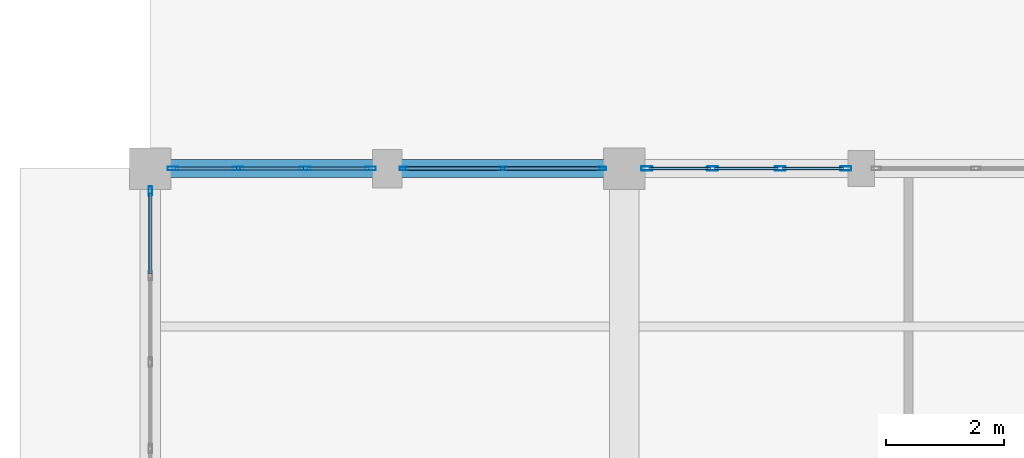
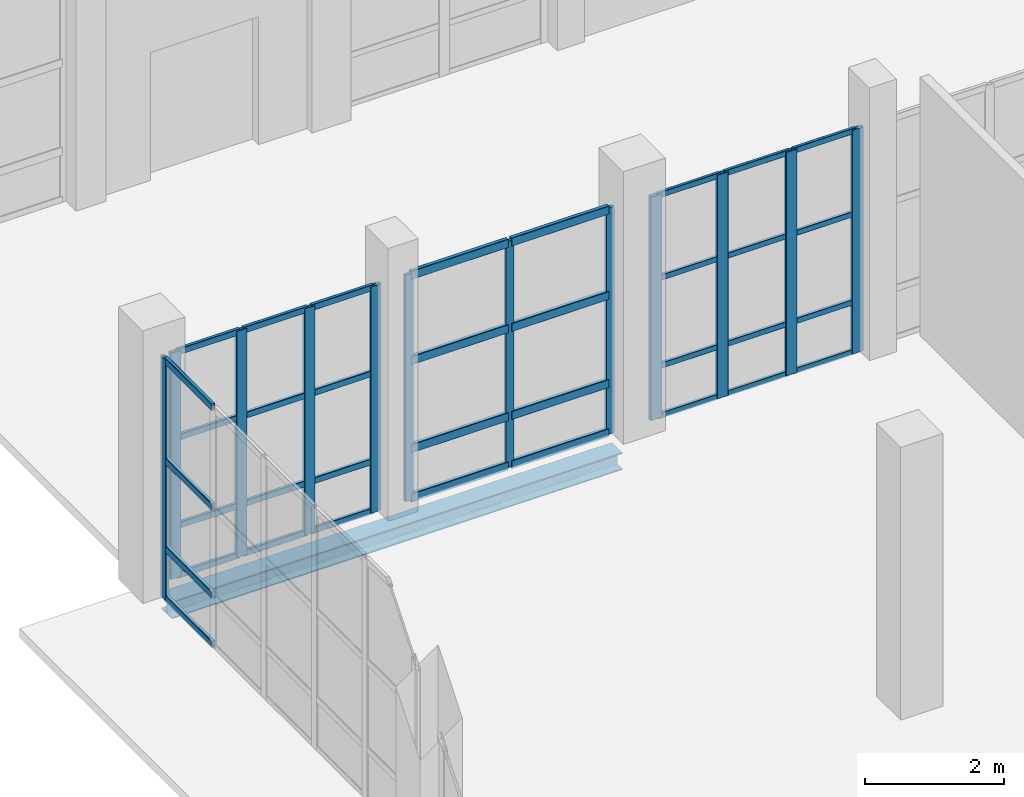
# One storey, part 12 of 156: 48 members, 1 beam, 4 elements without a shape of their own.
"""IFC4 building model written with IfcOpenShell, lengths in metres."""

import ifcopenshell
import ifcopenshell.guid

model = None  # the IFC model being written
_history = None  # IfcOwnerHistory: only IFC2X3 demands one
_inside = {}  # id of a spatial element -> (the spatial element, [elements in it])
_under = {}  # id of a project, library or spatial element -> (it, [spatial elements below it])
_declared = {}  # id of a project -> (the project, [libraries it declares])
_typed = {}  # id of a type object -> (the type object, [elements of that type])
_made_of = {}  # id of a material, layer set ... -> (it, [elements and type objects made of it])


def new_model(schema):
    """Start an empty IFC model of exactly this schema.

    Asked for "IFC4X3", IfcOpenShell would pick the latest addendum, in which some entities
    have other attributes; the version numbers below select the first issue.
    IFC2X3 requires an IfcOwnerHistory on every rooted entity: one is made here for all.
    """
    global model, _history
    if schema == "IFC4X3":
        model = ifcopenshell.file(schema_version=(4, 3, 0, 0))
    else:
        model = ifcopenshell.file(schema=schema)
    _inside.clear()
    _under.clear()
    _declared.clear()
    _typed.clear()
    _made_of.clear()
    _history = None
    if model.schema == "IFC2X3":
        org = make("IfcOrganization", Name="unknown")
        user = make(
            "IfcPersonAndOrganization",
            ThePerson=make("IfcPerson", FamilyName="unknown"),
            TheOrganization=org,
        )
        app = make(
            "IfcApplication",
            ApplicationDeveloper=org,
            Version="unknown",
            ApplicationFullName="unknown",
            ApplicationIdentifier="unknown",
        )
        _history = make(
            "IfcOwnerHistory",
            OwningUser=user,
            OwningApplication=app,
            ChangeAction="ADDED",
            CreationDate=0,
        )
    return model


def make(cls, **values):
    """One entity of the class cls with the attributes given. An attribute that is None is left unset."""
    return model.create_entity(
        cls, **{name: value for name, value in values.items() if value is not None}
    )


def rooted(cls, **values):
    """An entity with a GlobalId (a new one), such as an element, a storey or a relation."""
    return make(cls, GlobalId=ifcopenshell.guid.new(), OwnerHistory=_history, **values)


def si_unit(unit_type, name, prefix=None):
    """IfcSIUnit, for example si_unit("LENGTHUNIT", "METRE", prefix="MILLI")."""
    return make("IfcSIUnit", UnitType=unit_type, Prefix=prefix, Name=name)


def assignment(units):
    """IfcUnitAssignment: the units of a project."""
    return None if units is None else make("IfcUnitAssignment", Units=units)


def point(xyz):
    """IfcCartesianPoint."""
    return None if xyz is None else make("IfcCartesianPoint", Coordinates=xyz)


def direction(xyz):
    """IfcDirection."""
    return None if xyz is None else make("IfcDirection", DirectionRatios=xyz)


def frame(location, z_axis=None, x_axis=None):
    """IfcAxis2Placement3D, a coordinate frame: its origin and axes. An axis left out is left unset."""
    return make(
        "IfcAxis2Placement3D",
        Location=point(location),
        Axis=direction(z_axis),
        RefDirection=direction(x_axis),
    )


def frame_2d(location, x_axis=None):
    """IfcAxis2Placement2D, a coordinate frame in the plane: its origin and x axis."""
    return make(
        "IfcAxis2Placement2D", Location=point(location), RefDirection=direction(x_axis)
    )


def origin():
    """The frame at (0, 0, 0) with its axes left unset."""
    return frame((0.0, 0.0, 0.0))


def origin_2d():
    """The frame at (0, 0) in the plane with its x axis left unset."""
    return frame_2d((0.0, 0.0))


def place(relative_to, where):
    """IfcLocalPlacement: puts the frame where relative to a parent placement (None: the world)."""
    return make(
        "IfcLocalPlacement", PlacementRelTo=relative_to, RelativePlacement=where
    )


def context(
    kind, dimensions, precision=None, world=None, true_north=None, identifier=None
):
    """IfcGeometricRepresentationContext, for example the 3D "Model" context."""
    return make(
        "IfcGeometricRepresentationContext",
        ContextIdentifier=identifier,
        ContextType=kind,
        CoordinateSpaceDimension=dimensions,
        Precision=precision,
        WorldCoordinateSystem=world,
        TrueNorth=true_north,
    )


def subcontext(parent, identifier, kind, view, scale=None):
    """IfcGeometricRepresentationSubContext, for example "Body" below "Model"."""
    return make(
        "IfcGeometricRepresentationSubContext",
        ContextIdentifier=identifier,
        ContextType=kind,
        ParentContext=parent,
        TargetScale=scale,
        TargetView=view,
    )


def project(units=None, contexts=None):
    """IfcProject with its units and contexts."""
    return rooted(
        "IfcProject",
        Name="project",
        RepresentationContexts=contexts,
        UnitsInContext=assignment(units),
    )


def spatial(cls, under=None, at=None, **own):
    """A site, building, storey or space (cls), placed at a placement, below another one or the project."""
    s = rooted(cls, ObjectPlacement=at, **own)
    if under is not None:
        _under.setdefault(under.id(), (under, []))[1].append(s)
    return s


def profile(cls, at=None, kind="AREA", **sizes):
    """A parametric profile (cls). Its sizes go by their IFC names, for example OverallWidth=200.0."""
    return make(cls, ProfileType=kind, Position=at, **sizes)


def hollow_rectangle(**sizes):
    """IfcRectangleHollowProfileDef."""
    return profile("IfcRectangleHollowProfileDef", **sizes)


def i_section(**sizes):
    """IfcIShapeProfileDef."""
    return profile("IfcIShapeProfileDef", **sizes)


def extrude(swept, where, along, depth):
    """IfcExtrudedAreaSolid: the profile swept, set in the frame where, extruded along a direction by depth."""
    return make(
        "IfcExtrudedAreaSolid",
        SweptArea=swept,
        Position=where,
        ExtrudedDirection=direction(along),
        Depth=depth,
    )


def shape(context_of_items, identifier, shape_type, items):
    """IfcShapeRepresentation: the items that make up one representation, for example the "Body"."""
    return make(
        "IfcShapeRepresentation",
        ContextOfItems=context_of_items,
        RepresentationIdentifier=identifier,
        RepresentationType=shape_type,
        Items=items,
    )


def material(Name=None, Category=None):
    """IfcMaterial."""
    return make("IfcMaterial", Name=Name, Category=Category)


def material_profile(
    of_material, cross_section, Name=None, Category=None, Priority=None
):
    """IfcMaterialProfile: a cross section and its material."""
    return make(
        "IfcMaterialProfile",
        Name=Name,
        Material=of_material,
        Profile=cross_section,
        Priority=Priority,
        Category=Category,
    )


def profile_set(profiles, Name=None, composite=None):
    """IfcMaterialProfileSet."""
    return make(
        "IfcMaterialProfileSet",
        Name=Name,
        MaterialProfiles=profiles,
        CompositeProfile=composite,
    )


def made_of(thing, what):
    """Note that an element or type object is made of a material, layer set ...; save() writes the relation."""
    if what is not None:
        _made_of.setdefault(what.id(), (what, []))[1].append(thing)
    return thing


def type_object(cls, material=None, **own):
    """A type object (cls), such as IfcWallType, which elements share."""
    return made_of(rooted(cls, **own), material)


def element(
    cls,
    number,
    at=None,
    inside=None,
    cuts=None,
    type_object=None,
    material=None,
    context=None,
    identifier="Body",
    shape_type=None,
    held_by="IfcProductDefinitionShape",
    body=None,
    shapes=None,
    **own,
):
    """One element of the class cls, such as IfcWall. Its Tag is "e" and its number.

    at: its placement. inside: the storey or other place that contains it. cuts: it is an
    opening in that element (IfcRelVoidsElement). A single representation is given by context,
    identifier, shape_type and body (its items); several are given by shapes. held_by: the class
    of the entity that holds the representations. save() writes the other relations.
    """
    e = rooted(cls, Tag="e%d" % number, ObjectPlacement=at, **own)
    if body is not None:
        shapes = [shape(context, identifier, shape_type, body)]
    if shapes is not None:
        e.Representation = make(held_by, Representations=shapes)
    if inside is not None:
        _inside.setdefault(inside.id(), (inside, []))[1].append(e)
    if cuts is not None:
        rooted(
            "IfcRelVoidsElement", RelatingBuildingElement=cuts, RelatedOpeningElement=e
        )
    if type_object is not None:
        _typed.setdefault(type_object.id(), (type_object, []))[1].append(e)
    return made_of(e, material)


def aggregate(whole, parts):
    """IfcRelAggregates: a whole, such as a stair, and the parts it consists of."""
    return rooted("IfcRelAggregates", RelatingObject=whole, RelatedObjects=parts)


def save(model, path):
    """Write the relations noted so far, then the file.

    IfcRelAggregates (storeys below a building ...), IfcRelContainedInSpatialStructure (elements
    in a storey), IfcRelDefinesByType, IfcRelAssociatesMaterial and IfcRelDeclares: one each for
    every whole, place, type object, material and project.
    """
    for whole, parts in _under.values():
        aggregate(whole, parts)
    for where, things in _inside.values():
        rooted(
            "IfcRelContainedInSpatialStructure",
            RelatedElements=things,
            RelatingStructure=where,
        )
    for kind, things in _typed.values():
        rooted("IfcRelDefinesByType", RelatedObjects=things, RelatingType=kind)
    for what, things in _made_of.values():
        rooted("IfcRelAssociatesMaterial", RelatedObjects=things, RelatingMaterial=what)
    for by, libraries in _declared.values():
        rooted("IfcRelDeclares", RelatingContext=by, RelatedDefinitions=libraries)
    model.write(path)


model = new_model("IFC4")

# Units and contexts
model_context = context("Model", 3, precision=1e-05, world=origin(), true_north=direction((0.0, 1.0)))
body_context = subcontext(model_context, "Body", "Model", "MODEL_VIEW")
ifc_project = project(units=[si_unit("LENGTHUNIT", "METRE"), si_unit("AREAUNIT", "SQUARE_METRE"), si_unit("VOLUMEUNIT", "CUBIC_METRE"), si_unit("PLANEANGLEUNIT", "RADIAN"), si_unit("MASSUNIT", "GRAM", prefix="KILO")], contexts=[model_context])

# Site, building, storey
site_placement = place(None, origin())
site = spatial("IfcSite", under=ifc_project, at=site_placement, CompositionType="ELEMENT")
building_placement = place(site_placement, origin())
building = spatial("IfcBuilding", under=site, at=building_placement, Name="Luwemba Playhouse", CompositionType="ELEMENT")
storey_placement = place(building_placement, origin())
storey = spatial("IfcBuildingStorey", under=building, at=storey_placement, Name="L00", CompositionType="ELEMENT", Elevation=0.0)

# Beam
ifc_material_1 = material(Name="Steel S355", Category="steel")
ifc_material_profile_1 = material_profile(ifc_material_1, i_section(OverallWidth=0.300048828125, OverallDepth=0.300048828125, WebThickness=0.010986328125, FlangeThickness=0.01904296875, FilletRadius=0.027099609375, at=origin_2d()))
ifc_profile_set_1 = profile_set([ifc_material_profile_1], Name="Steel S355")
beam_type = type_object("IfcBeamType", Name="BM-SSP1", PredefinedType="SPANDREL", material=ifc_profile_set_1)
beam_placement = place(storey_placement, frame((4.25, 27.0, -0.449951171875), z_axis=(1.0, 0.0, 0.0), x_axis=(0.0, 1.0, 0.0)))
element("IfcBeam", 1, at=beam_placement, inside=storey, type_object=beam_type, Name="L00 grid girder 0171", PredefinedType="SPANDREL", context=body_context, shape_type="SweptSolid", body=[
    extrude(i_section(OverallWidth=0.300048828125, OverallDepth=0.300048828125, WebThickness=0.010986328125, FlangeThickness=0.01904296875, FilletRadius=0.027099609375, at=origin_2d()), origin(), (0.0, 0.0, 1.0), 7.5),
])

# Curtain wall, member
ifc_material_2 = material(Name="Solar-control double glazing", Category="glass")
curtain_wall_type_1 = type_object("IfcCurtainWallType", Name="CW-CW25", PredefinedType="USERDEFINED", material=ifc_material_2)
curtain_wall_1_placement = place(storey_placement, origin())
curtain_wall_1 = element("IfcCurtainWall", 2, at=curtain_wall_1_placement, inside=storey, type_object=curtain_wall_type_1, Name="L00 V5W unitised curtain wall 027", ObjectType="UNITISED GLAZING", PredefinedType="USERDEFINED")
ifc_material_3 = material(Name="Aluminium 6063-T6", Category="aluminium")
ifc_material_profile_2 = material_profile(ifc_material_3, hollow_rectangle(XDim=0.06005859375, YDim=0.159912109375, WallThickness=0.00390625, InnerFilletRadius=0.006103515625, OuterFilletRadius=0.010009765625, at=origin_2d()))
ifc_profile_set_2 = profile_set([ifc_material_profile_2], Name="Aluminium 6063-T6")
member_type_1 = type_object("IfcMemberType", Name="CWM-M1", PredefinedType="MULLION", material=ifc_profile_set_2)
member_1_placement = place(storey_placement, frame((4.0, 26.6201171875, 0.0), z_axis=(0.0, 0.0, 1.0), x_axis=(-1.0, 0.0, 0.0)))
member_1 = element("IfcMember", 3, at=member_1_placement, type_object=member_type_1, Name="CW25 mullion 6", PredefinedType="MULLION", context=body_context, shape_type="SweptSolid", body=[
    extrude(hollow_rectangle(XDim=0.06005859375, YDim=0.159912109375, WallThickness=0.00390625, InnerFilletRadius=0.006103515625, OuterFilletRadius=0.010009765625, at=origin_2d()), origin(), (0.0, 0.0, 1.0), 4.235107421875),
])

# Curtain wall, members
curtain_wall_type_2 = type_object("IfcCurtainWallType", Name="CW-CW26", PredefinedType="USERDEFINED", material=ifc_material_2)
curtain_wall_2_placement = place(storey_placement, origin())
curtain_wall_2 = element("IfcCurtainWall", 4, at=curtain_wall_2_placement, inside=storey, type_object=curtain_wall_type_2, Name="L00 V5W unitised curtain wall 028", ObjectType="UNITISED GLAZING", PredefinedType="USERDEFINED")
ifc_material_profile_3 = material_profile(ifc_material_3, hollow_rectangle(XDim=0.06494140625, YDim=0.179931640625, WallThickness=0.00439453125, InnerFilletRadius=0.0068359375, OuterFilletRadius=0.01123046875, at=origin_2d()))
ifc_profile_set_3 = profile_set([ifc_material_profile_3], Name="Aluminium 6063-T6")
member_type_2 = type_object("IfcMemberType", Name="CWM-M2", PredefinedType="MULLION", material=ifc_profile_set_3)
member_2_placement = place(storey_placement, frame((4.382568359375, 27.0, 0.0), z_axis=(0.0, 0.0, 1.0), x_axis=(0.0, 1.0, 0.0)))
member_2 = element("IfcMember", 5, at=member_2_placement, type_object=member_type_2, Name="CW26 mullion 1", PredefinedType="MULLION", context=body_context, shape_type="SweptSolid", body=[
    extrude(hollow_rectangle(XDim=0.06494140625, YDim=0.179931640625, WallThickness=0.00439453125, InnerFilletRadius=0.0068359375, OuterFilletRadius=0.01123046875, at=origin_2d()), origin(), (0.0, 0.0, 1.0), 3.985107421875),
])
member_3_placement = place(storey_placement, frame((5.4833984375, 27.0, 0.0), z_axis=(0.0, 0.0, 1.0), x_axis=(0.0, 1.0, 0.0)))
member_3 = element("IfcMember", 6, at=member_3_placement, type_object=member_type_2, Name="CW26 mullion 2", PredefinedType="MULLION", context=body_context, shape_type="SweptSolid", body=[
    extrude(hollow_rectangle(XDim=0.06494140625, YDim=0.179931640625, WallThickness=0.00439453125, InnerFilletRadius=0.0068359375, OuterFilletRadius=0.01123046875, at=origin_2d()), origin(), (0.0, 0.0, 1.0), 3.985107421875),
])
member_4_placement = place(storey_placement, frame((6.61669921875, 27.0, 0.0), z_axis=(0.0, 0.0, 1.0), x_axis=(0.0, 1.0, 0.0)))
member_4 = element("IfcMember", 7, at=member_4_placement, type_object=member_type_2, Name="CW26 mullion 3", PredefinedType="MULLION", context=body_context, shape_type="SweptSolid", body=[
    extrude(hollow_rectangle(XDim=0.06494140625, YDim=0.179931640625, WallThickness=0.00439453125, InnerFilletRadius=0.0068359375, OuterFilletRadius=0.01123046875, at=origin_2d()), origin(), (0.0, 0.0, 1.0), 3.985107421875),
])
member_5_placement = place(storey_placement, frame((7.717529296875, 27.0, 0.0), z_axis=(0.0, 0.0, 1.0), x_axis=(0.0, 1.0, 0.0)))
member_5 = element("IfcMember", 8, at=member_5_placement, type_object=member_type_2, Name="CW26 mullion 4", PredefinedType="MULLION", context=body_context, shape_type="SweptSolid", body=[
    extrude(hollow_rectangle(XDim=0.06494140625, YDim=0.179931640625, WallThickness=0.00439453125, InnerFilletRadius=0.0068359375, OuterFilletRadius=0.01123046875, at=origin_2d()), origin(), (0.0, 0.0, 1.0), 3.985107421875),
])

curtain_wall_type_3 = type_object("IfcCurtainWallType", Name="CW-CW27", PredefinedType="USERDEFINED", material=ifc_material_2)
curtain_wall_3_placement = place(storey_placement, origin())
curtain_wall_3 = element("IfcCurtainWall", 9, at=curtain_wall_3_placement, inside=storey, type_object=curtain_wall_type_3, Name="L00 V5W unitised curtain wall 029", ObjectType="UNITISED GLAZING", PredefinedType="USERDEFINED")
ifc_material_profile_4 = material_profile(ifc_material_3, hollow_rectangle(XDim=0.054931640625, YDim=0.139892578125, WallThickness=0.00390625, InnerFilletRadius=0.006103515625, OuterFilletRadius=0.010009765625, at=origin_2d()))
ifc_profile_set_4 = profile_set([ifc_material_profile_4], Name="Aluminium 6063-T6")
member_type_3 = type_object("IfcMemberType", Name="CWM-M3", PredefinedType="MULLION", material=ifc_profile_set_4)
member_6_placement = place(storey_placement, frame((8.277587890625, 27.0, 0.0), z_axis=(0.0, 0.0, 1.0), x_axis=(0.0, 1.0, 0.0)))
member_6 = element("IfcMember", 10, at=member_6_placement, type_object=member_type_3, Name="CW27 mullion 1", PredefinedType="MULLION", context=body_context, shape_type="SweptSolid", body=[
    extrude(hollow_rectangle(XDim=0.054931640625, YDim=0.139892578125, WallThickness=0.00390625, InnerFilletRadius=0.006103515625, OuterFilletRadius=0.010009765625, at=origin_2d()), origin(), (0.0, 0.0, 1.0), 3.985107421875),
])
member_7_placement = place(storey_placement, frame((9.949951171875, 27.0, 0.0), z_axis=(0.0, 0.0, 1.0), x_axis=(0.0, 1.0, 0.0)))
member_7 = element("IfcMember", 11, at=member_7_placement, type_object=member_type_3, Name="CW27 mullion 2", PredefinedType="MULLION", context=body_context, shape_type="SweptSolid", body=[
    extrude(hollow_rectangle(XDim=0.054931640625, YDim=0.139892578125, WallThickness=0.00390625, InnerFilletRadius=0.006103515625, OuterFilletRadius=0.010009765625, at=origin_2d()), origin(), (0.0, 0.0, 1.0), 3.985107421875),
])
member_8_placement = place(storey_placement, frame((11.62255859375, 27.0, 0.0), z_axis=(0.0, 0.0, 1.0), x_axis=(0.0, 1.0, 0.0)))
member_8 = element("IfcMember", 12, at=member_8_placement, type_object=member_type_3, Name="CW27 mullion 3", PredefinedType="MULLION", context=body_context, shape_type="SweptSolid", body=[
    extrude(hollow_rectangle(XDim=0.054931640625, YDim=0.139892578125, WallThickness=0.00390625, InnerFilletRadius=0.006103515625, OuterFilletRadius=0.010009765625, at=origin_2d()), origin(), (0.0, 0.0, 1.0), 3.985107421875),
])

curtain_wall_type_4 = type_object("IfcCurtainWallType", Name="CW-CW10", PredefinedType="USERDEFINED", material=ifc_material_2)
curtain_wall_4_placement = place(storey_placement, origin())
curtain_wall_4 = element("IfcCurtainWall", 13, at=curtain_wall_4_placement, inside=storey, type_object=curtain_wall_type_4, Name="L00 V5W unitised curtain wall 030", ObjectType="UNITISED GLAZING", PredefinedType="USERDEFINED")
ifc_material_profile_5 = material_profile(ifc_material_3, hollow_rectangle(XDim=0.070068359375, YDim=0.18994140625, WallThickness=0.0048828125, InnerFilletRadius=0.007568359375, OuterFilletRadius=0.012451171875, at=origin_2d()))
ifc_profile_set_5 = profile_set([ifc_material_profile_5], Name="Aluminium 6063-T6")
member_type_4 = type_object("IfcMemberType", Name="CWM-M4", PredefinedType="MULLION", material=ifc_profile_set_5)
member_9_placement = place(storey_placement, frame((12.385009765625, 27.0, 0.0), z_axis=(0.0, 0.0, 1.0), x_axis=(0.0, 1.0, 0.0)))
member_9 = element("IfcMember", 14, at=member_9_placement, type_object=member_type_4, Name="CW10 mullion 1", PredefinedType="MULLION", context=body_context, shape_type="SweptSolid", body=[
    extrude(hollow_rectangle(XDim=0.070068359375, YDim=0.18994140625, WallThickness=0.0048828125, InnerFilletRadius=0.007568359375, OuterFilletRadius=0.012451171875, at=origin_2d()), origin(), (0.0, 0.0, 1.0), 3.93505859375),
])
member_10_placement = place(storey_placement, frame((13.49169921875, 27.0, 0.0), z_axis=(0.0, 0.0, 1.0), x_axis=(0.0, 1.0, 0.0)))
member_10 = element("IfcMember", 15, at=member_10_placement, type_object=member_type_4, Name="CW10 mullion 2", PredefinedType="MULLION", context=body_context, shape_type="SweptSolid", body=[
    extrude(hollow_rectangle(XDim=0.070068359375, YDim=0.18994140625, WallThickness=0.0048828125, InnerFilletRadius=0.007568359375, OuterFilletRadius=0.012451171875, at=origin_2d()), origin(), (0.0, 0.0, 1.0), 3.93505859375),
])
member_11_placement = place(storey_placement, frame((14.63330078125, 27.0, 0.0), z_axis=(0.0, 0.0, 1.0), x_axis=(0.0, 1.0, 0.0)))
member_11 = element("IfcMember", 16, at=member_11_placement, type_object=member_type_4, Name="CW10 mullion 3", PredefinedType="MULLION", context=body_context, shape_type="SweptSolid", body=[
    extrude(hollow_rectangle(XDim=0.070068359375, YDim=0.18994140625, WallThickness=0.0048828125, InnerFilletRadius=0.007568359375, OuterFilletRadius=0.012451171875, at=origin_2d()), origin(), (0.0, 0.0, 1.0), 3.93505859375),
])
member_12_placement = place(storey_placement, frame((15.739990234375, 27.0, 0.0), z_axis=(0.0, 0.0, 1.0), x_axis=(0.0, 1.0, 0.0)))
member_12 = element("IfcMember", 17, at=member_12_placement, type_object=member_type_4, Name="CW10 mullion 4", PredefinedType="MULLION", context=body_context, shape_type="SweptSolid", body=[
    extrude(hollow_rectangle(XDim=0.070068359375, YDim=0.18994140625, WallThickness=0.0048828125, InnerFilletRadius=0.007568359375, OuterFilletRadius=0.012451171875, at=origin_2d()), origin(), (0.0, 0.0, 1.0), 3.93505859375),
])

# Member
ifc_material_profile_6 = material_profile(ifc_material_3, hollow_rectangle(XDim=0.06005859375, YDim=0.1201171875, WallThickness=0.00390625, InnerFilletRadius=0.006103515625, OuterFilletRadius=0.010009765625, at=origin_2d()))
ifc_profile_set_6 = profile_set([ifc_material_profile_6], Name="Aluminium 6063-T6")
member_type_5 = type_object("IfcMemberType", Name="CWT-T1", PredefinedType="USERDEFINED", material=ifc_profile_set_6)
member_13_placement = place(storey_placement, frame((4.0, 25.219970703125, 0.030029296875), z_axis=(0.0, 1.0, 0.0), x_axis=(-1.0, 0.0, 0.0)))
member_13 = element("IfcMember", 18, at=member_13_placement, type_object=member_type_5, Name="CW25 transom 5.1", ObjectType="TRANSOM", PredefinedType="USERDEFINED", context=body_context, shape_type="SweptSolid", body=[
    extrude(hollow_rectangle(XDim=0.06005859375, YDim=0.1201171875, WallThickness=0.00390625, InnerFilletRadius=0.006103515625, OuterFilletRadius=0.010009765625, at=origin_2d()), origin(), (0.0, 0.0, 1.0), 1.3701171875),
])

member_14_placement = place(storey_placement, frame((4.0, 25.219970703125, 0.89990234375), z_axis=(0.0, 1.0, 0.0), x_axis=(-1.0, 0.0, 0.0)))
member_14 = element("IfcMember", 19, at=member_14_placement, type_object=member_type_5, Name="CW25 transom 5.2", ObjectType="TRANSOM", PredefinedType="USERDEFINED", context=body_context, shape_type="SweptSolid", body=[
    extrude(hollow_rectangle(XDim=0.06005859375, YDim=0.1201171875, WallThickness=0.00390625, InnerFilletRadius=0.006103515625, OuterFilletRadius=0.010009765625, at=origin_2d()), origin(), (0.0, 0.0, 1.0), 1.3701171875),
])

member_15_placement = place(storey_placement, frame((4.0, 25.219970703125, 2.449951171875), z_axis=(0.0, 1.0, 0.0), x_axis=(-1.0, 0.0, 0.0)))
member_15 = element("IfcMember", 20, at=member_15_placement, type_object=member_type_5, Name="CW25 transom 5.3", ObjectType="TRANSOM", PredefinedType="USERDEFINED", context=body_context, shape_type="SweptSolid", body=[
    extrude(hollow_rectangle(XDim=0.06005859375, YDim=0.1201171875, WallThickness=0.00390625, InnerFilletRadius=0.006103515625, OuterFilletRadius=0.010009765625, at=origin_2d()), origin(), (0.0, 0.0, 1.0), 1.3701171875),
])

member_16_placement = place(storey_placement, frame((4.0, 25.219970703125, 4.205078125), z_axis=(0.0, 1.0, 0.0), x_axis=(-1.0, 0.0, 0.0)))
member_16 = element("IfcMember", 21, at=member_16_placement, type_object=member_type_5, Name="CW25 transom 5.4", ObjectType="TRANSOM", PredefinedType="USERDEFINED", context=body_context, shape_type="SweptSolid", body=[
    extrude(hollow_rectangle(XDim=0.06005859375, YDim=0.1201171875, WallThickness=0.00390625, InnerFilletRadius=0.006103515625, OuterFilletRadius=0.010009765625, at=origin_2d()), origin(), (0.0, 0.0, 1.0), 1.3701171875),
])

aggregate(curtain_wall_1, [member_1, member_13, member_14, member_15, member_16])

ifc_material_profile_7 = material_profile(ifc_material_3, hollow_rectangle(XDim=0.054931640625, YDim=0.110107421875, WallThickness=0.00341796875, InnerFilletRadius=0.00537109375, OuterFilletRadius=0.0087890625, at=origin_2d()))
ifc_profile_set_7 = profile_set([ifc_material_profile_7], Name="Aluminium 6063-T6")
member_type_6 = type_object("IfcMemberType", Name="CWT-T2", PredefinedType="USERDEFINED", material=ifc_profile_set_7)
member_17_placement = place(storey_placement, frame((4.4150390625, 27.0, 0.027587890625), z_axis=(1.0, 0.0, 0.0), x_axis=(0.0, 1.0, 0.0)))
member_17 = element("IfcMember", 22, at=member_17_placement, type_object=member_type_6, Name="CW26 transom 1.1", ObjectType="TRANSOM", PredefinedType="USERDEFINED", context=body_context, shape_type="SweptSolid", body=[
    extrude(hollow_rectangle(XDim=0.054931640625, YDim=0.110107421875, WallThickness=0.00341796875, InnerFilletRadius=0.00537109375, OuterFilletRadius=0.0087890625, at=origin_2d()), origin(), (0.0, 0.0, 1.0), 1.035888671875),
])

member_18_placement = place(storey_placement, frame((4.4150390625, 27.0, 0.89990234375), z_axis=(1.0, 0.0, 0.0), x_axis=(0.0, 1.0, 0.0)))
member_18 = element("IfcMember", 23, at=member_18_placement, type_object=member_type_6, Name="CW26 transom 1.2", ObjectType="TRANSOM", PredefinedType="USERDEFINED", context=body_context, shape_type="SweptSolid", body=[
    extrude(hollow_rectangle(XDim=0.054931640625, YDim=0.110107421875, WallThickness=0.00341796875, InnerFilletRadius=0.00537109375, OuterFilletRadius=0.0087890625, at=origin_2d()), origin(), (0.0, 0.0, 1.0), 1.035888671875),
])

member_19_placement = place(storey_placement, frame((4.4150390625, 27.0, 2.449951171875), z_axis=(1.0, 0.0, 0.0), x_axis=(0.0, 1.0, 0.0)))
member_19 = element("IfcMember", 24, at=member_19_placement, type_object=member_type_6, Name="CW26 transom 1.3", ObjectType="TRANSOM", PredefinedType="USERDEFINED", context=body_context, shape_type="SweptSolid", body=[
    extrude(hollow_rectangle(XDim=0.054931640625, YDim=0.110107421875, WallThickness=0.00341796875, InnerFilletRadius=0.00537109375, OuterFilletRadius=0.0087890625, at=origin_2d()), origin(), (0.0, 0.0, 1.0), 1.035888671875),
])

member_20_placement = place(storey_placement, frame((4.4150390625, 27.0, 3.95751953125), z_axis=(1.0, 0.0, 0.0), x_axis=(0.0, 1.0, 0.0)))
member_20 = element("IfcMember", 25, at=member_20_placement, type_object=member_type_6, Name="CW26 transom 1.4", ObjectType="TRANSOM", PredefinedType="USERDEFINED", context=body_context, shape_type="SweptSolid", body=[
    extrude(hollow_rectangle(XDim=0.054931640625, YDim=0.110107421875, WallThickness=0.00341796875, InnerFilletRadius=0.00537109375, OuterFilletRadius=0.0087890625, at=origin_2d()), origin(), (0.0, 0.0, 1.0), 1.035888671875),
])

member_21_placement = place(storey_placement, frame((5.515869140625, 27.0, 0.027587890625), z_axis=(1.0, 0.0, 0.0), x_axis=(0.0, 1.0, 0.0)))
member_21 = element("IfcMember", 26, at=member_21_placement, type_object=member_type_6, Name="CW26 transom 2.1", ObjectType="TRANSOM", PredefinedType="USERDEFINED", context=body_context, shape_type="SweptSolid", body=[
    extrude(hollow_rectangle(XDim=0.054931640625, YDim=0.110107421875, WallThickness=0.00341796875, InnerFilletRadius=0.00537109375, OuterFilletRadius=0.0087890625, at=origin_2d()), origin(), (0.0, 0.0, 1.0), 1.068359375),
])

member_22_placement = place(storey_placement, frame((5.515869140625, 27.0, 0.89990234375), z_axis=(1.0, 0.0, 0.0), x_axis=(0.0, 1.0, 0.0)))
member_22 = element("IfcMember", 27, at=member_22_placement, type_object=member_type_6, Name="CW26 transom 2.2", ObjectType="TRANSOM", PredefinedType="USERDEFINED", context=body_context, shape_type="SweptSolid", body=[
    extrude(hollow_rectangle(XDim=0.054931640625, YDim=0.110107421875, WallThickness=0.00341796875, InnerFilletRadius=0.00537109375, OuterFilletRadius=0.0087890625, at=origin_2d()), origin(), (0.0, 0.0, 1.0), 1.068359375),
])

member_23_placement = place(storey_placement, frame((5.515869140625, 27.0, 2.449951171875), z_axis=(1.0, 0.0, 0.0), x_axis=(0.0, 1.0, 0.0)))
member_23 = element("IfcMember", 28, at=member_23_placement, type_object=member_type_6, Name="CW26 transom 2.3", ObjectType="TRANSOM", PredefinedType="USERDEFINED", context=body_context, shape_type="SweptSolid", body=[
    extrude(hollow_rectangle(XDim=0.054931640625, YDim=0.110107421875, WallThickness=0.00341796875, InnerFilletRadius=0.00537109375, OuterFilletRadius=0.0087890625, at=origin_2d()), origin(), (0.0, 0.0, 1.0), 1.068359375),
])

member_24_placement = place(storey_placement, frame((5.515869140625, 27.0, 3.95751953125), z_axis=(1.0, 0.0, 0.0), x_axis=(0.0, 1.0, 0.0)))
member_24 = element("IfcMember", 29, at=member_24_placement, type_object=member_type_6, Name="CW26 transom 2.4", ObjectType="TRANSOM", PredefinedType="USERDEFINED", context=body_context, shape_type="SweptSolid", body=[
    extrude(hollow_rectangle(XDim=0.054931640625, YDim=0.110107421875, WallThickness=0.00341796875, InnerFilletRadius=0.00537109375, OuterFilletRadius=0.0087890625, at=origin_2d()), origin(), (0.0, 0.0, 1.0), 1.068359375),
])

member_25_placement = place(storey_placement, frame((6.649169921875, 27.0, 0.027587890625), z_axis=(1.0, 0.0, 0.0), x_axis=(0.0, 1.0, 0.0)))
member_25 = element("IfcMember", 30, at=member_25_placement, type_object=member_type_6, Name="CW26 transom 3.1", ObjectType="TRANSOM", PredefinedType="USERDEFINED", context=body_context, shape_type="SweptSolid", body=[
    extrude(hollow_rectangle(XDim=0.054931640625, YDim=0.110107421875, WallThickness=0.00341796875, InnerFilletRadius=0.00537109375, OuterFilletRadius=0.0087890625, at=origin_2d()), origin(), (0.0, 0.0, 1.0), 1.035888671875),
])

member_26_placement = place(storey_placement, frame((6.649169921875, 27.0, 0.89990234375), z_axis=(1.0, 0.0, 0.0), x_axis=(0.0, 1.0, 0.0)))
member_26 = element("IfcMember", 31, at=member_26_placement, type_object=member_type_6, Name="CW26 transom 3.2", ObjectType="TRANSOM", PredefinedType="USERDEFINED", context=body_context, shape_type="SweptSolid", body=[
    extrude(hollow_rectangle(XDim=0.054931640625, YDim=0.110107421875, WallThickness=0.00341796875, InnerFilletRadius=0.00537109375, OuterFilletRadius=0.0087890625, at=origin_2d()), origin(), (0.0, 0.0, 1.0), 1.035888671875),
])

member_27_placement = place(storey_placement, frame((6.649169921875, 27.0, 2.449951171875), z_axis=(1.0, 0.0, 0.0), x_axis=(0.0, 1.0, 0.0)))
member_27 = element("IfcMember", 32, at=member_27_placement, type_object=member_type_6, Name="CW26 transom 3.3", ObjectType="TRANSOM", PredefinedType="USERDEFINED", context=body_context, shape_type="SweptSolid", body=[
    extrude(hollow_rectangle(XDim=0.054931640625, YDim=0.110107421875, WallThickness=0.00341796875, InnerFilletRadius=0.00537109375, OuterFilletRadius=0.0087890625, at=origin_2d()), origin(), (0.0, 0.0, 1.0), 1.035888671875),
])

member_28_placement = place(storey_placement, frame((6.649169921875, 27.0, 3.95751953125), z_axis=(1.0, 0.0, 0.0), x_axis=(0.0, 1.0, 0.0)))
member_28 = element("IfcMember", 33, at=member_28_placement, type_object=member_type_6, Name="CW26 transom 3.4", ObjectType="TRANSOM", PredefinedType="USERDEFINED", context=body_context, shape_type="SweptSolid", body=[
    extrude(hollow_rectangle(XDim=0.054931640625, YDim=0.110107421875, WallThickness=0.00341796875, InnerFilletRadius=0.00537109375, OuterFilletRadius=0.0087890625, at=origin_2d()), origin(), (0.0, 0.0, 1.0), 1.035888671875),
])

aggregate(curtain_wall_2, [member_2, member_3, member_4, member_5, member_17, member_18, member_19, member_20, member_21, member_22, member_23, member_24, member_25, member_26, member_27, member_28])

ifc_material_profile_8 = material_profile(ifc_material_3, hollow_rectangle(XDim=0.06494140625, YDim=0.14990234375, WallThickness=0.00390625, InnerFilletRadius=0.006103515625, OuterFilletRadius=0.010009765625, at=origin_2d()))
ifc_profile_set_8 = profile_set([ifc_material_profile_8], Name="Aluminium 6063-T6")
member_type_7 = type_object("IfcMemberType", Name="CWT-T3", PredefinedType="USERDEFINED", material=ifc_profile_set_8)
member_29_placement = place(storey_placement, frame((8.304931640625, 27.0, 0.032470703125), z_axis=(1.0, 0.0, 0.0), x_axis=(0.0, 1.0, 0.0)))
member_29 = element("IfcMember", 34, at=member_29_placement, type_object=member_type_7, Name="CW27 transom 1.1", ObjectType="TRANSOM", PredefinedType="USERDEFINED", context=body_context, shape_type="SweptSolid", body=[
    extrude(hollow_rectangle(XDim=0.06494140625, YDim=0.14990234375, WallThickness=0.00390625, InnerFilletRadius=0.006103515625, OuterFilletRadius=0.010009765625, at=origin_2d()), origin(), (0.0, 0.0, 1.0), 1.61767578125),
])

member_30_placement = place(storey_placement, frame((8.304931640625, 27.0, 0.89990234375), z_axis=(1.0, 0.0, 0.0), x_axis=(0.0, 1.0, 0.0)))
member_30 = element("IfcMember", 35, at=member_30_placement, type_object=member_type_7, Name="CW27 transom 1.2", ObjectType="TRANSOM", PredefinedType="USERDEFINED", context=body_context, shape_type="SweptSolid", body=[
    extrude(hollow_rectangle(XDim=0.06494140625, YDim=0.14990234375, WallThickness=0.00390625, InnerFilletRadius=0.006103515625, OuterFilletRadius=0.010009765625, at=origin_2d()), origin(), (0.0, 0.0, 1.0), 1.61767578125),
])

member_31_placement = place(storey_placement, frame((8.304931640625, 27.0, 2.449951171875), z_axis=(1.0, 0.0, 0.0), x_axis=(0.0, 1.0, 0.0)))
member_31 = element("IfcMember", 36, at=member_31_placement, type_object=member_type_7, Name="CW27 transom 1.3", ObjectType="TRANSOM", PredefinedType="USERDEFINED", context=body_context, shape_type="SweptSolid", body=[
    extrude(hollow_rectangle(XDim=0.06494140625, YDim=0.14990234375, WallThickness=0.00390625, InnerFilletRadius=0.006103515625, OuterFilletRadius=0.010009765625, at=origin_2d()), origin(), (0.0, 0.0, 1.0), 1.61767578125),
])

member_32_placement = place(storey_placement, frame((8.304931640625, 27.0, 3.952392578125), z_axis=(1.0, 0.0, 0.0), x_axis=(0.0, 1.0, 0.0)))
member_32 = element("IfcMember", 37, at=member_32_placement, type_object=member_type_7, Name="CW27 transom 1.4", ObjectType="TRANSOM", PredefinedType="USERDEFINED", context=body_context, shape_type="SweptSolid", body=[
    extrude(hollow_rectangle(XDim=0.06494140625, YDim=0.14990234375, WallThickness=0.00390625, InnerFilletRadius=0.006103515625, OuterFilletRadius=0.010009765625, at=origin_2d()), origin(), (0.0, 0.0, 1.0), 1.61767578125),
])

member_33_placement = place(storey_placement, frame((9.9775390625, 27.0, 0.032470703125), z_axis=(1.0, 0.0, 0.0), x_axis=(0.0, 1.0, 0.0)))
member_33 = element("IfcMember", 38, at=member_33_placement, type_object=member_type_7, Name="CW27 transom 2.1", ObjectType="TRANSOM", PredefinedType="USERDEFINED", context=body_context, shape_type="SweptSolid", body=[
    extrude(hollow_rectangle(XDim=0.06494140625, YDim=0.14990234375, WallThickness=0.00390625, InnerFilletRadius=0.006103515625, OuterFilletRadius=0.010009765625, at=origin_2d()), origin(), (0.0, 0.0, 1.0), 1.617431640625),
])

member_34_placement = place(storey_placement, frame((9.9775390625, 27.0, 0.89990234375), z_axis=(1.0, 0.0, 0.0), x_axis=(0.0, 1.0, 0.0)))
member_34 = element("IfcMember", 39, at=member_34_placement, type_object=member_type_7, Name="CW27 transom 2.2", ObjectType="TRANSOM", PredefinedType="USERDEFINED", context=body_context, shape_type="SweptSolid", body=[
    extrude(hollow_rectangle(XDim=0.06494140625, YDim=0.14990234375, WallThickness=0.00390625, InnerFilletRadius=0.006103515625, OuterFilletRadius=0.010009765625, at=origin_2d()), origin(), (0.0, 0.0, 1.0), 1.617431640625),
])

member_35_placement = place(storey_placement, frame((9.9775390625, 27.0, 2.449951171875), z_axis=(1.0, 0.0, 0.0), x_axis=(0.0, 1.0, 0.0)))
member_35 = element("IfcMember", 40, at=member_35_placement, type_object=member_type_7, Name="CW27 transom 2.3", ObjectType="TRANSOM", PredefinedType="USERDEFINED", context=body_context, shape_type="SweptSolid", body=[
    extrude(hollow_rectangle(XDim=0.06494140625, YDim=0.14990234375, WallThickness=0.00390625, InnerFilletRadius=0.006103515625, OuterFilletRadius=0.010009765625, at=origin_2d()), origin(), (0.0, 0.0, 1.0), 1.617431640625),
])

member_36_placement = place(storey_placement, frame((9.9775390625, 27.0, 3.952392578125), z_axis=(1.0, 0.0, 0.0), x_axis=(0.0, 1.0, 0.0)))
member_36 = element("IfcMember", 41, at=member_36_placement, type_object=member_type_7, Name="CW27 transom 2.4", ObjectType="TRANSOM", PredefinedType="USERDEFINED", context=body_context, shape_type="SweptSolid", body=[
    extrude(hollow_rectangle(XDim=0.06494140625, YDim=0.14990234375, WallThickness=0.00390625, InnerFilletRadius=0.006103515625, OuterFilletRadius=0.010009765625, at=origin_2d()), origin(), (0.0, 0.0, 1.0), 1.617431640625),
])

aggregate(curtain_wall_3, [member_6, member_7, member_8, member_29, member_30, member_31, member_32, member_33, member_34, member_35, member_36])

ifc_material_profile_9 = material_profile(ifc_material_3, hollow_rectangle(XDim=0.050048828125, YDim=0.10009765625, WallThickness=0.00341796875, InnerFilletRadius=0.00537109375, OuterFilletRadius=0.0087890625, at=origin_2d()))
ifc_profile_set_9 = profile_set([ifc_material_profile_9], Name="Aluminium 6063-T6")
member_type_8 = type_object("IfcMemberType", Name="CWT-T4", PredefinedType="USERDEFINED", material=ifc_profile_set_9)
member_37_placement = place(storey_placement, frame((12.419921875, 27.0, 0.02490234375), z_axis=(1.0, 0.0, 0.0), x_axis=(0.0, 1.0, 0.0)))
member_37 = element("IfcMember", 42, at=member_37_placement, type_object=member_type_8, Name="CW10 transom 1.1", ObjectType="TRANSOM", PredefinedType="USERDEFINED", context=body_context, shape_type="SweptSolid", body=[
    extrude(hollow_rectangle(XDim=0.050048828125, YDim=0.10009765625, WallThickness=0.00341796875, InnerFilletRadius=0.00537109375, OuterFilletRadius=0.0087890625, at=origin_2d()), origin(), (0.0, 0.0, 1.0), 1.036865234375),
])

member_38_placement = place(storey_placement, frame((12.419921875, 27.0, 0.89990234375), z_axis=(1.0, 0.0, 0.0), x_axis=(0.0, 1.0, 0.0)))
member_38 = element("IfcMember", 43, at=member_38_placement, type_object=member_type_8, Name="CW10 transom 1.2", ObjectType="TRANSOM", PredefinedType="USERDEFINED", context=body_context, shape_type="SweptSolid", body=[
    extrude(hollow_rectangle(XDim=0.050048828125, YDim=0.10009765625, WallThickness=0.00341796875, InnerFilletRadius=0.00537109375, OuterFilletRadius=0.0087890625, at=origin_2d()), origin(), (0.0, 0.0, 1.0), 1.036865234375),
])

member_39_placement = place(storey_placement, frame((12.419921875, 27.0, 2.449951171875), z_axis=(1.0, 0.0, 0.0), x_axis=(0.0, 1.0, 0.0)))
member_39 = element("IfcMember", 44, at=member_39_placement, type_object=member_type_8, Name="CW10 transom 1.3", ObjectType="TRANSOM", PredefinedType="USERDEFINED", context=body_context, shape_type="SweptSolid", body=[
    extrude(hollow_rectangle(XDim=0.050048828125, YDim=0.10009765625, WallThickness=0.00341796875, InnerFilletRadius=0.00537109375, OuterFilletRadius=0.0087890625, at=origin_2d()), origin(), (0.0, 0.0, 1.0), 1.036865234375),
])

member_40_placement = place(storey_placement, frame((12.419921875, 27.0, 3.909912109375), z_axis=(1.0, 0.0, 0.0), x_axis=(0.0, 1.0, 0.0)))
member_40 = element("IfcMember", 45, at=member_40_placement, type_object=member_type_8, Name="CW10 transom 1.4", ObjectType="TRANSOM", PredefinedType="USERDEFINED", context=body_context, shape_type="SweptSolid", body=[
    extrude(hollow_rectangle(XDim=0.050048828125, YDim=0.10009765625, WallThickness=0.00341796875, InnerFilletRadius=0.00537109375, OuterFilletRadius=0.0087890625, at=origin_2d()), origin(), (0.0, 0.0, 1.0), 1.036865234375),
])

member_41_placement = place(storey_placement, frame((13.526611328125, 27.0, 0.02490234375), z_axis=(1.0, 0.0, 0.0), x_axis=(0.0, 1.0, 0.0)))
member_41 = element("IfcMember", 46, at=member_41_placement, type_object=member_type_8, Name="CW10 transom 2.1", ObjectType="TRANSOM", PredefinedType="USERDEFINED", context=body_context, shape_type="SweptSolid", body=[
    extrude(hollow_rectangle(XDim=0.050048828125, YDim=0.10009765625, WallThickness=0.00341796875, InnerFilletRadius=0.00537109375, OuterFilletRadius=0.0087890625, at=origin_2d()), origin(), (0.0, 0.0, 1.0), 1.07177734375),
])

member_42_placement = place(storey_placement, frame((13.526611328125, 27.0, 0.89990234375), z_axis=(1.0, 0.0, 0.0), x_axis=(0.0, 1.0, 0.0)))
member_42 = element("IfcMember", 47, at=member_42_placement, type_object=member_type_8, Name="CW10 transom 2.2", ObjectType="TRANSOM", PredefinedType="USERDEFINED", context=body_context, shape_type="SweptSolid", body=[
    extrude(hollow_rectangle(XDim=0.050048828125, YDim=0.10009765625, WallThickness=0.00341796875, InnerFilletRadius=0.00537109375, OuterFilletRadius=0.0087890625, at=origin_2d()), origin(), (0.0, 0.0, 1.0), 1.07177734375),
])

member_43_placement = place(storey_placement, frame((13.526611328125, 27.0, 2.449951171875), z_axis=(1.0, 0.0, 0.0), x_axis=(0.0, 1.0, 0.0)))
member_43 = element("IfcMember", 48, at=member_43_placement, type_object=member_type_8, Name="CW10 transom 2.3", ObjectType="TRANSOM", PredefinedType="USERDEFINED", context=body_context, shape_type="SweptSolid", body=[
    extrude(hollow_rectangle(XDim=0.050048828125, YDim=0.10009765625, WallThickness=0.00341796875, InnerFilletRadius=0.00537109375, OuterFilletRadius=0.0087890625, at=origin_2d()), origin(), (0.0, 0.0, 1.0), 1.07177734375),
])

member_44_placement = place(storey_placement, frame((13.526611328125, 27.0, 3.909912109375), z_axis=(1.0, 0.0, 0.0), x_axis=(0.0, 1.0, 0.0)))
member_44 = element("IfcMember", 49, at=member_44_placement, type_object=member_type_8, Name="CW10 transom 2.4", ObjectType="TRANSOM", PredefinedType="USERDEFINED", context=body_context, shape_type="SweptSolid", body=[
    extrude(hollow_rectangle(XDim=0.050048828125, YDim=0.10009765625, WallThickness=0.00341796875, InnerFilletRadius=0.00537109375, OuterFilletRadius=0.0087890625, at=origin_2d()), origin(), (0.0, 0.0, 1.0), 1.07177734375),
])

member_45_placement = place(storey_placement, frame((14.668212890625, 27.0, 0.02490234375), z_axis=(1.0, 0.0, 0.0), x_axis=(0.0, 1.0, 0.0)))
member_45 = element("IfcMember", 50, at=member_45_placement, type_object=member_type_8, Name="CW10 transom 3.1", ObjectType="TRANSOM", PredefinedType="USERDEFINED", context=body_context, shape_type="SweptSolid", body=[
    extrude(hollow_rectangle(XDim=0.050048828125, YDim=0.10009765625, WallThickness=0.00341796875, InnerFilletRadius=0.00537109375, OuterFilletRadius=0.0087890625, at=origin_2d()), origin(), (0.0, 0.0, 1.0), 1.036865234375),
])

member_46_placement = place(storey_placement, frame((14.668212890625, 27.0, 0.89990234375), z_axis=(1.0, 0.0, 0.0), x_axis=(0.0, 1.0, 0.0)))
member_46 = element("IfcMember", 51, at=member_46_placement, type_object=member_type_8, Name="CW10 transom 3.2", ObjectType="TRANSOM", PredefinedType="USERDEFINED", context=body_context, shape_type="SweptSolid", body=[
    extrude(hollow_rectangle(XDim=0.050048828125, YDim=0.10009765625, WallThickness=0.00341796875, InnerFilletRadius=0.00537109375, OuterFilletRadius=0.0087890625, at=origin_2d()), origin(), (0.0, 0.0, 1.0), 1.036865234375),
])

member_47_placement = place(storey_placement, frame((14.668212890625, 27.0, 2.449951171875), z_axis=(1.0, 0.0, 0.0), x_axis=(0.0, 1.0, 0.0)))
member_47 = element("IfcMember", 52, at=member_47_placement, type_object=member_type_8, Name="CW10 transom 3.3", ObjectType="TRANSOM", PredefinedType="USERDEFINED", context=body_context, shape_type="SweptSolid", body=[
    extrude(hollow_rectangle(XDim=0.050048828125, YDim=0.10009765625, WallThickness=0.00341796875, InnerFilletRadius=0.00537109375, OuterFilletRadius=0.0087890625, at=origin_2d()), origin(), (0.0, 0.0, 1.0), 1.036865234375),
])

member_48_placement = place(storey_placement, frame((14.668212890625, 27.0, 3.909912109375), z_axis=(1.0, 0.0, 0.0), x_axis=(0.0, 1.0, 0.0)))
member_48 = element("IfcMember", 53, at=member_48_placement, type_object=member_type_8, Name="CW10 transom 3.4", ObjectType="TRANSOM", PredefinedType="USERDEFINED", context=body_context, shape_type="SweptSolid", body=[
    extrude(hollow_rectangle(XDim=0.050048828125, YDim=0.10009765625, WallThickness=0.00341796875, InnerFilletRadius=0.00537109375, OuterFilletRadius=0.0087890625, at=origin_2d()), origin(), (0.0, 0.0, 1.0), 1.036865234375),
])

aggregate(curtain_wall_4, [member_9, member_10, member_11, member_12, member_37, member_38, member_39, member_40, member_41, member_42, member_43, member_44, member_45, member_46, member_47, member_48])

save(model, "model.ifc")
